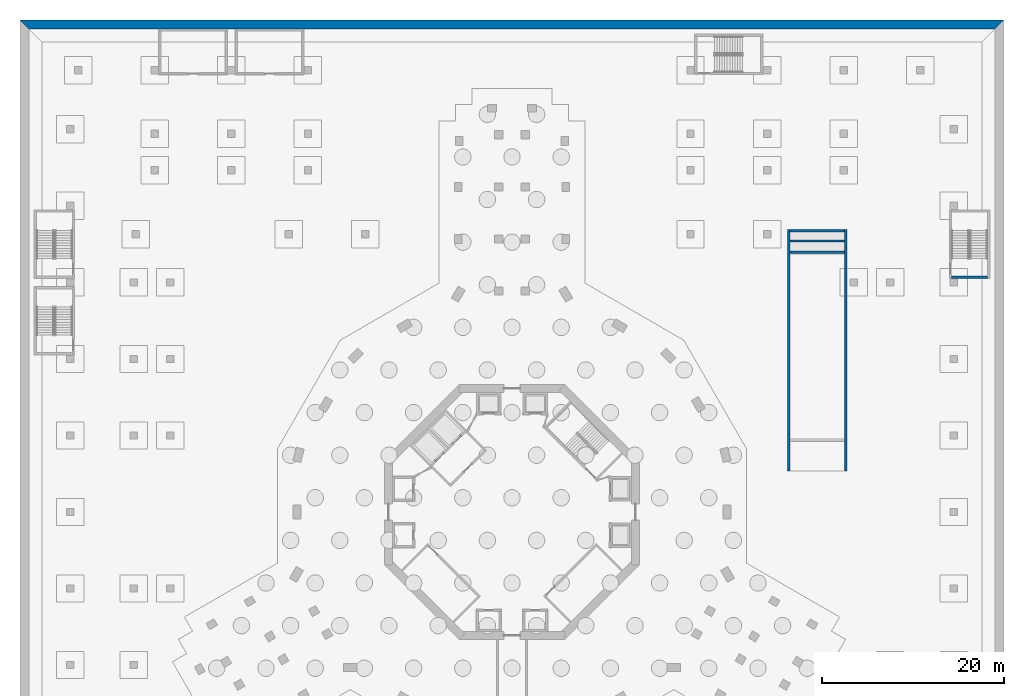
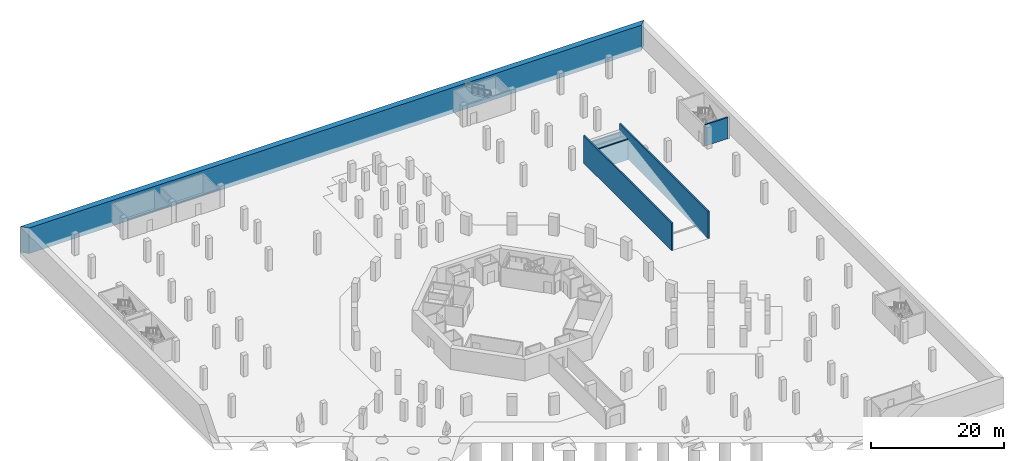
# One storey, part 12 of 27: 7 walls.
"""IFC4 building model written with IfcOpenShell, lengths in metres."""

from ifc_helpers import new_model, si_unit, direction, frame, frame_2d, origin, place, context, subcontext, project, spatial, polyline, rectangle, outline, extrude, material, layer, layer_set, type_object, element, save


model = new_model("IFC4")

# Units and contexts
model_context = context("Model", 3, precision=1e-05, world=origin(), true_north=direction((0.0, 1.0)))
body_context = subcontext(model_context, "Body", "Model", "MODEL_VIEW")
ifc_project = project(units=[si_unit("LENGTHUNIT", "METRE"), si_unit("AREAUNIT", "SQUARE_METRE"), si_unit("VOLUMEUNIT", "CUBIC_METRE"), si_unit("PLANEANGLEUNIT", "RADIAN"), si_unit("MASSUNIT", "GRAM", prefix="KILO")], contexts=[model_context])

# Site, building, storey
site_placement = place(None, origin())
site = spatial("IfcSite", under=ifc_project, at=site_placement, CompositionType="ELEMENT")
building_placement = place(site_placement, origin())
building = spatial("IfcBuilding", under=site, at=building_placement, Name="Verdalira Terraces Hotel", CompositionType="ELEMENT")
storey_placement = place(building_placement, frame((0.0, 0.0, -11.699951)))
storey = spatial("IfcBuildingStorey", under=building, at=storey_placement, Name="B3", CompositionType="ELEMENT", Elevation=-11.699951171875)

# Walls
ifc_material_1 = material(Name="Concrete C40", Category="concrete")
ifc_layer_1 = layer(ifc_material_1, 0.25)
ifc_layer_set_1 = layer_set([ifc_layer_1], Name="Ramp end wall 250 C40")
wall_type_1 = type_object("IfcWallType", Name="Ramp end wall 250 C40", PredefinedType="SOLIDWALL", material=ifc_layer_set_1)
wall_1_placement = place(storey_placement, frame((36.5, 30.875, 0.0), z_axis=(0.0, 0.0, 1.0), x_axis=(-1.0, 0.0, 0.0)))
element("IfcWall", 1, at=wall_1_placement, inside=storey, type_object=wall_type_1, Name="Ramp from B2 to B3 end wall", PredefinedType="SOLIDWALL", context=body_context, shape_type="SweptSolid", body=[
    extrude(rectangle(XDim=6.0, YDim=0.25, at=frame_2d((3.0, 0.0))), origin(), (0.0, 0.0, 1.0), 3.550049),
])
ifc_material_2 = material(Name="Concrete C40", Category="concrete")
ifc_layer_2 = layer(ifc_material_2, 0.25)
ifc_layer_set_2 = layer_set([ifc_layer_2], Name="Ramp guard wall 250 C40")
wall_type_2 = type_object("IfcWallType", Name="Ramp guard wall 250 C40", PredefinedType="SOLIDWALL", material=ifc_layer_set_2)
for number, where, z_axis, x_axis, name in (
    (2, (36.625, 31.0, 0.0), (0.0, 0.0, 1.0), (0.0, -1.0, 0.0), "Ramp from B2 to B3 side wall W"),
    (3, (30.375, 31.0, 0.0), (0.0, 0.0, 1.0), (0.0, -1.0, 0.0), "Ramp from B2 to B3 side wall E"),
):
    element("IfcWall", number, at=place(storey_placement, frame(where, z_axis=z_axis, x_axis=x_axis)), inside=storey, type_object=wall_type_2, Name=name, PredefinedType="SOLIDWALL", context=body_context, shape_type="SweptSolid", body=[
        extrude(rectangle(XDim=26.5, YDim=0.25, at=frame_2d((13.25, 0.0))), origin(), (0.0, 0.0, 1.0), 5.02002),
    ])
ifc_material_3 = material(Name="Concrete C40", Category="concrete")
ifc_layer_3 = layer(ifc_material_3, 0.25)
ifc_layer_set_3 = layer_set([ifc_layer_3], Name="Ramp head support wall 250 C40")
wall_type_3 = type_object("IfcWallType", Name="Ramp head support wall 250 C40", PredefinedType="SOLIDWALL", material=ifc_layer_set_3)
wall_2_placement = place(storey_placement, frame((36.5, 29.75, 0.0), z_axis=(0.0, 0.0, 1.0), x_axis=(-1.0, 0.0, 0.0)))
element("IfcWall", 4, at=wall_2_placement, inside=storey, type_object=wall_type_3, Name="Ramp from B2 to B3 head support wall", PredefinedType="SOLIDWALL", context=body_context, shape_type="SweptSolid", body=[
    extrude(rectangle(XDim=6.0, YDim=0.25, at=frame_2d((3.0, 0.0))), origin(), (0.0, 0.0, 1.0), 3.471191),
])
ifc_material_4 = material(Name="Concrete C40", Category="concrete")
ifc_layer_4 = layer(ifc_material_4, 0.25)
ifc_layer_set_4 = layer_set([ifc_layer_4], Name="Ramp joint wall 250 C40")
wall_type_4 = type_object("IfcWallType", Name="Ramp joint wall 250 C40", PredefinedType="SOLIDWALL", material=ifc_layer_set_4)
wall_3_placement = place(storey_placement, frame((36.5, 28.5, 0.0), z_axis=(0.0, 0.0, 1.0), x_axis=(-1.0, 0.0, 0.0)))
element("IfcWall", 5, at=wall_3_placement, inside=storey, type_object=wall_type_4, Name="Ramp from B2 to B3 joint wall", PredefinedType="SOLIDWALL", context=body_context, shape_type="SweptSolid", body=[
    extrude(rectangle(XDim=6.0, YDim=0.25, at=frame_2d((3.0, 0.0))), origin(), (0.0, 0.0, 1.0), 3.733643),
])
ifc_material_5 = material(Name="Concrete C40", Category="concrete")
ifc_layer_5 = layer(ifc_material_5, 1.0)
ifc_layer_set_5 = layer_set([ifc_layer_5], Name="Retaining wall from base slab 1000 C40")
wall_type_5 = type_object("IfcWallType", Name="Retaining wall from base slab 1000 C40", PredefinedType="SOLIDWALL", material=ifc_layer_set_5)
wall_4_placement = place(storey_placement, frame((0.0, 0.0, -0.800049)))
element("IfcWall", 6, at=wall_4_placement, inside=storey, type_object=wall_type_5, Name="Retaining wall B3 side 1", PredefinedType="SOLIDWALL", context=body_context, shape_type="SweptSolid", body=[
    extrude(outline(polyline([(54.0, 54.0), (-54.0, 54.0), (-53.0, 53.0), (53.0, 53.0), (54.0, 54.0)])), origin(), (0.0, 0.0, 1.0), 4.699951),
])
ifc_material_6 = material(Name="Concrete C40", Category="concrete")
ifc_layer_6 = layer(ifc_material_6, 0.25)
ifc_layer_set_6 = layer_set([ifc_layer_6], Name="Stair enclosure wall 250 C40")
wall_type_6 = type_object("IfcWallType", Name="Stair enclosure wall 250 C40", PredefinedType="SOLIDWALL", material=ifc_layer_set_6)
wall_5_placement = place(storey_placement, frame((52.199951, 25.774902, 0.0), z_axis=(0.0, 0.0, 1.0), x_axis=(-1.0, 0.0, 0.0)))
element("IfcWall", 7, at=wall_5_placement, inside=storey, type_object=wall_type_6, Name="Stair BS5 enclosure wall", PredefinedType="SOLIDWALL", context=body_context, shape_type="SweptSolid", body=[
    extrude(rectangle(XDim=3.949951, YDim=0.25, at=frame_2d((1.975098, 0.0))), origin(), (0.0, 0.0, 1.0), 3.899902),
])

save(model, "model.ifc")
